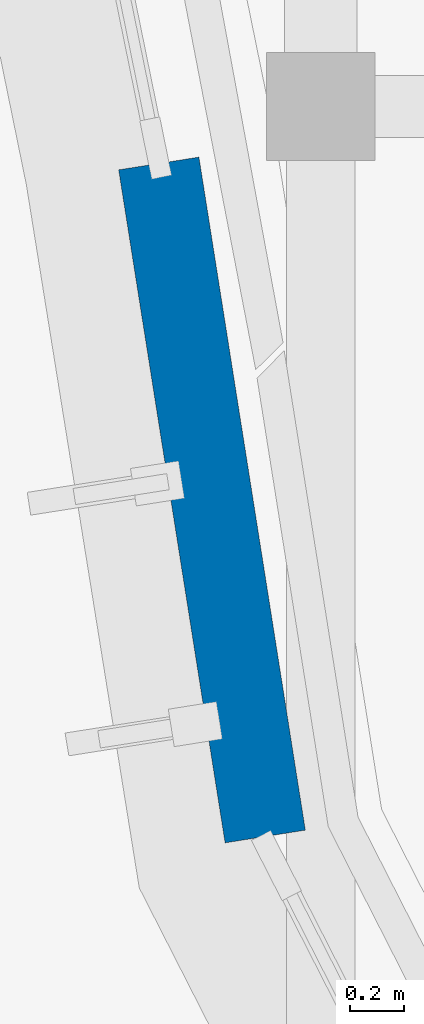
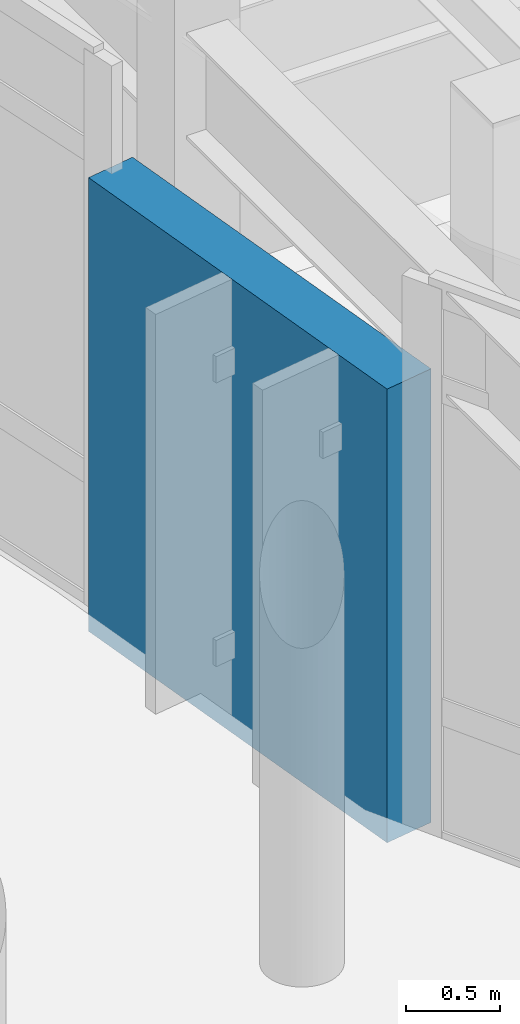
# One storey, part 85 of 111: 1 wall.
"""IFC4 building model written with IfcOpenShell, lengths in metres."""

from ifc_helpers import new_model, si_unit, direction, frame, frame_2d, origin, place, context, subcontext, project, spatial, rectangle, extrude, material, layer, layer_set, type_object, element, save


model = new_model("IFC4")

# Units and contexts
model_context = context("Model", 3, precision=1e-05, world=origin(), true_north=direction((0.0, 1.0)))
body_context = subcontext(model_context, "Body", "Model", "MODEL_VIEW")
ifc_project = project(units=[si_unit("LENGTHUNIT", "METRE"), si_unit("AREAUNIT", "SQUARE_METRE"), si_unit("VOLUMEUNIT", "CUBIC_METRE"), si_unit("PLANEANGLEUNIT", "RADIAN"), si_unit("MASSUNIT", "GRAM", prefix="KILO")], contexts=[model_context])

# Site, building, storey
site_placement = place(None, origin())
site = spatial("IfcSite", under=ifc_project, at=site_placement, CompositionType="ELEMENT")
building_placement = place(site_placement, origin())
building = spatial("IfcBuilding", under=site, at=building_placement, Name="Corveleigh Park Community Centre", CompositionType="ELEMENT")
storey_placement = place(building_placement, frame((0.0, 0.0, 4.800048828125)))
storey = spatial("IfcBuildingStorey", under=building, at=storey_placement, Name="L01", CompositionType="ELEMENT", Elevation=4.800048828125)

# Wall
ifc_material = material(Name="Precast concrete C40/50", Category="concrete")
ifc_layer = layer(ifc_material, 0.300048828125, Name="Precast concrete C40/50", Category="concrete")
ifc_layer_set = layer_set([ifc_layer], Name="Precast concrete C40/50")
wall_type = type_object("IfcWallType", Name="WL-EXT-300", PredefinedType="STANDARD", material=ifc_layer_set)
wall_placement = place(storey_placement, frame((134.39501953125, 63.50390625, 0.0), z_axis=(0.0, 0.0, 1.0), x_axis=(-0.156166790267, 0.987730698935, 0.0)))
element("IfcWall", 1, at=wall_placement, inside=storey, type_object=wall_type, Name="V4 L01 Precast Facade Wall", PredefinedType="STANDARD", context=body_context, shape_type="SweptSolid", body=[
    extrude(rectangle(XDim=2.516845703125, YDim=0.300048828125, at=frame_2d((1.25830078125, 0.0))), origin(), (0.0, 0.0, 1.0), 2.93701171875),
])

save(model, "model.ifc")
